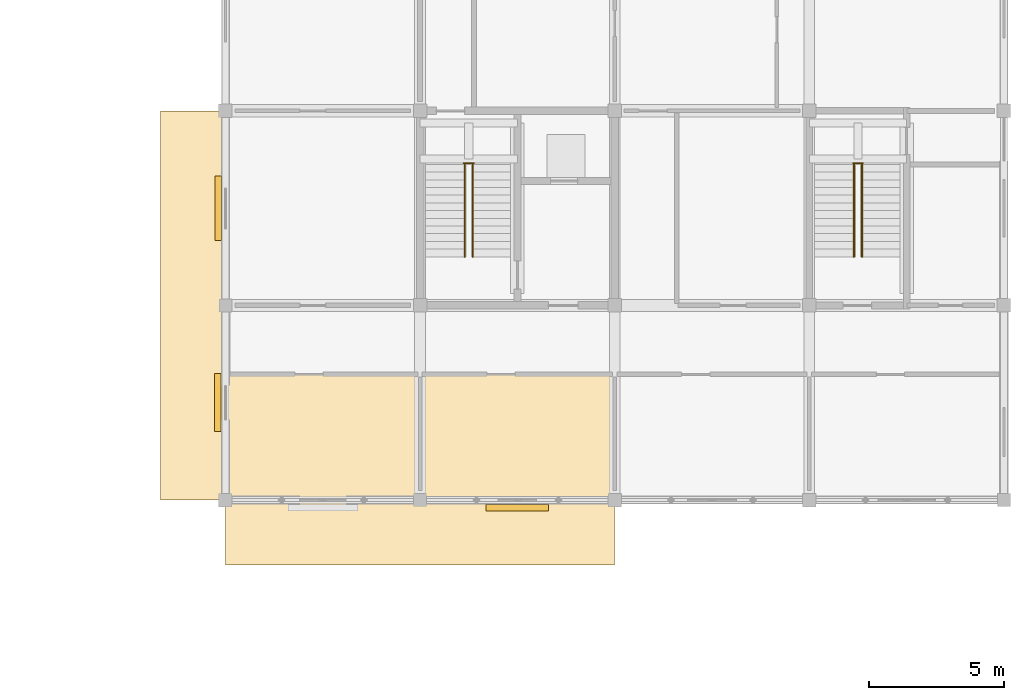
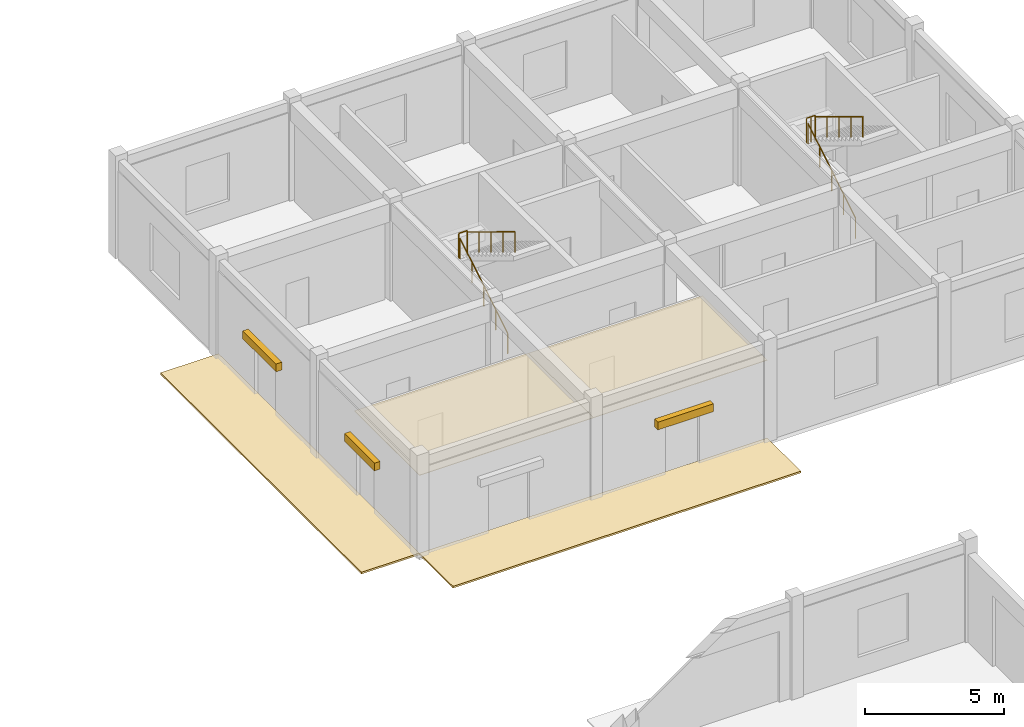
# One storey, part 128 of 138: 7 coverings, 6 railings.
"""IFC4 building model written with IfcOpenShell, lengths in metres."""

import ifcopenshell
import ifcopenshell.guid

model = None  # the IFC model being written
_history = None  # IfcOwnerHistory: only IFC2X3 demands one
_inside = {}  # id of a spatial element -> (the spatial element, [elements in it])
_under = {}  # id of a project, library or spatial element -> (it, [spatial elements below it])
_declared = {}  # id of a project -> (the project, [libraries it declares])
_typed = {}  # id of a type object -> (the type object, [elements of that type])
_made_of = {}  # id of a material, layer set ... -> (it, [elements and type objects made of it])


def new_model(schema):
    """Start an empty IFC model of exactly this schema.

    Asked for "IFC4X3", IfcOpenShell would pick the latest addendum, in which some entities
    have other attributes; the version numbers below select the first issue.
    IFC2X3 requires an IfcOwnerHistory on every rooted entity: one is made here for all.
    """
    global model, _history
    if schema == "IFC4X3":
        model = ifcopenshell.file(schema_version=(4, 3, 0, 0))
    else:
        model = ifcopenshell.file(schema=schema)
    _inside.clear()
    _under.clear()
    _declared.clear()
    _typed.clear()
    _made_of.clear()
    _history = None
    if model.schema == "IFC2X3":
        org = make("IfcOrganization", Name="unknown")
        user = make(
            "IfcPersonAndOrganization",
            ThePerson=make("IfcPerson", FamilyName="unknown"),
            TheOrganization=org,
        )
        app = make(
            "IfcApplication",
            ApplicationDeveloper=org,
            Version="unknown",
            ApplicationFullName="unknown",
            ApplicationIdentifier="unknown",
        )
        _history = make(
            "IfcOwnerHistory",
            OwningUser=user,
            OwningApplication=app,
            ChangeAction="ADDED",
            CreationDate=0,
        )
    return model


def make(cls, **values):
    """One entity of the class cls with the attributes given. An attribute that is None is left unset."""
    return model.create_entity(
        cls, **{name: value for name, value in values.items() if value is not None}
    )


def rooted(cls, **values):
    """An entity with a GlobalId (a new one), such as an element, a storey or a relation."""
    return make(cls, GlobalId=ifcopenshell.guid.new(), OwnerHistory=_history, **values)


def si_unit(unit_type, name, prefix=None):
    """IfcSIUnit, for example si_unit("LENGTHUNIT", "METRE", prefix="MILLI")."""
    return make("IfcSIUnit", UnitType=unit_type, Prefix=prefix, Name=name)


def assignment(units):
    """IfcUnitAssignment: the units of a project."""
    return None if units is None else make("IfcUnitAssignment", Units=units)


def point(xyz):
    """IfcCartesianPoint."""
    return None if xyz is None else make("IfcCartesianPoint", Coordinates=xyz)


def direction(xyz):
    """IfcDirection."""
    return None if xyz is None else make("IfcDirection", DirectionRatios=xyz)


def frame(location, z_axis=None, x_axis=None):
    """IfcAxis2Placement3D, a coordinate frame: its origin and axes. An axis left out is left unset."""
    return make(
        "IfcAxis2Placement3D",
        Location=point(location),
        Axis=direction(z_axis),
        RefDirection=direction(x_axis),
    )


def frame_2d(location, x_axis=None):
    """IfcAxis2Placement2D, a coordinate frame in the plane: its origin and x axis."""
    return make(
        "IfcAxis2Placement2D", Location=point(location), RefDirection=direction(x_axis)
    )


def origin():
    """The frame at (0, 0, 0) with its axes left unset."""
    return frame((0.0, 0.0, 0.0))


def origin_2d():
    """The frame at (0, 0) in the plane with its x axis left unset."""
    return frame_2d((0.0, 0.0))


def place(relative_to, where):
    """IfcLocalPlacement: puts the frame where relative to a parent placement (None: the world)."""
    return make(
        "IfcLocalPlacement", PlacementRelTo=relative_to, RelativePlacement=where
    )


def context(
    kind, dimensions, precision=None, world=None, true_north=None, identifier=None
):
    """IfcGeometricRepresentationContext, for example the 3D "Model" context."""
    return make(
        "IfcGeometricRepresentationContext",
        ContextIdentifier=identifier,
        ContextType=kind,
        CoordinateSpaceDimension=dimensions,
        Precision=precision,
        WorldCoordinateSystem=world,
        TrueNorth=true_north,
    )


def subcontext(parent, identifier, kind, view, scale=None):
    """IfcGeometricRepresentationSubContext, for example "Body" below "Model"."""
    return make(
        "IfcGeometricRepresentationSubContext",
        ContextIdentifier=identifier,
        ContextType=kind,
        ParentContext=parent,
        TargetScale=scale,
        TargetView=view,
    )


def project(units=None, contexts=None):
    """IfcProject with its units and contexts."""
    return rooted(
        "IfcProject",
        Name="project",
        RepresentationContexts=contexts,
        UnitsInContext=assignment(units),
    )


def spatial(cls, under=None, at=None, **own):
    """A site, building, storey or space (cls), placed at a placement, below another one or the project."""
    s = rooted(cls, ObjectPlacement=at, **own)
    if under is not None:
        _under.setdefault(under.id(), (under, []))[1].append(s)
    return s


def polyline(points):
    """IfcPolyline through the points."""
    return make("IfcPolyline", Points=[point(p) for p in points])


def profile(cls, at=None, kind="AREA", **sizes):
    """A parametric profile (cls). Its sizes go by their IFC names, for example OverallWidth=200.0."""
    return make(cls, ProfileType=kind, Position=at, **sizes)


def rectangle(**sizes):
    """IfcRectangleProfileDef."""
    return profile("IfcRectangleProfileDef", **sizes)


def circle(**sizes):
    """IfcCircleProfileDef."""
    return profile("IfcCircleProfileDef", **sizes)


def outline(outer, holes=None, kind="AREA"):
    """IfcArbitraryClosedProfileDef: a profile drawn as a closed curve; with holes, ...WithVoids."""
    if holes is None:
        return make("IfcArbitraryClosedProfileDef", ProfileType=kind, OuterCurve=outer)
    return make(
        "IfcArbitraryProfileDefWithVoids",
        ProfileType=kind,
        OuterCurve=outer,
        InnerCurves=holes,
    )


def extrude(swept, where, along, depth):
    """IfcExtrudedAreaSolid: the profile swept, set in the frame where, extruded along a direction by depth."""
    return make(
        "IfcExtrudedAreaSolid",
        SweptArea=swept,
        Position=where,
        ExtrudedDirection=direction(along),
        Depth=depth,
    )


def shape(context_of_items, identifier, shape_type, items):
    """IfcShapeRepresentation: the items that make up one representation, for example the "Body"."""
    return make(
        "IfcShapeRepresentation",
        ContextOfItems=context_of_items,
        RepresentationIdentifier=identifier,
        RepresentationType=shape_type,
        Items=items,
    )


def material(Name=None, Category=None):
    """IfcMaterial."""
    return make("IfcMaterial", Name=Name, Category=Category)


def layer(
    of_material, thickness, ventilated=None, Name=None, Category=None, Priority=None
):
    """IfcMaterialLayer: one layer of a wall or slab, of a material (None: an air gap)."""
    return make(
        "IfcMaterialLayer",
        Material=of_material,
        LayerThickness=thickness,
        IsVentilated=ventilated,
        Name=Name,
        Category=Category,
        Priority=Priority,
    )


def layer_set(layers, Name=None):
    """IfcMaterialLayerSet."""
    return make("IfcMaterialLayerSet", MaterialLayers=layers, LayerSetName=Name)


def made_of(thing, what):
    """Note that an element or type object is made of a material, layer set ...; save() writes the relation."""
    if what is not None:
        _made_of.setdefault(what.id(), (what, []))[1].append(thing)
    return thing


def type_object(cls, material=None, **own):
    """A type object (cls), such as IfcWallType, which elements share."""
    return made_of(rooted(cls, **own), material)


def element(
    cls,
    number,
    at=None,
    inside=None,
    cuts=None,
    type_object=None,
    material=None,
    context=None,
    identifier="Body",
    shape_type=None,
    held_by="IfcProductDefinitionShape",
    body=None,
    shapes=None,
    **own,
):
    """One element of the class cls, such as IfcWall. Its Tag is "e" and its number.

    at: its placement. inside: the storey or other place that contains it. cuts: it is an
    opening in that element (IfcRelVoidsElement). A single representation is given by context,
    identifier, shape_type and body (its items); several are given by shapes. held_by: the class
    of the entity that holds the representations. save() writes the other relations.
    """
    e = rooted(cls, Tag="e%d" % number, ObjectPlacement=at, **own)
    if body is not None:
        shapes = [shape(context, identifier, shape_type, body)]
    if shapes is not None:
        e.Representation = make(held_by, Representations=shapes)
    if inside is not None:
        _inside.setdefault(inside.id(), (inside, []))[1].append(e)
    if cuts is not None:
        rooted(
            "IfcRelVoidsElement", RelatingBuildingElement=cuts, RelatedOpeningElement=e
        )
    if type_object is not None:
        _typed.setdefault(type_object.id(), (type_object, []))[1].append(e)
    return made_of(e, material)


def aggregate(whole, parts):
    """IfcRelAggregates: a whole, such as a stair, and the parts it consists of."""
    return rooted("IfcRelAggregates", RelatingObject=whole, RelatedObjects=parts)


def save(model, path):
    """Write the relations noted so far, then the file.

    IfcRelAggregates (storeys below a building ...), IfcRelContainedInSpatialStructure (elements
    in a storey), IfcRelDefinesByType, IfcRelAssociatesMaterial and IfcRelDeclares: one each for
    every whole, place, type object, material and project.
    """
    for whole, parts in _under.values():
        aggregate(whole, parts)
    for where, things in _inside.values():
        rooted(
            "IfcRelContainedInSpatialStructure",
            RelatedElements=things,
            RelatingStructure=where,
        )
    for kind, things in _typed.values():
        rooted("IfcRelDefinesByType", RelatedObjects=things, RelatingType=kind)
    for what, things in _made_of.values():
        rooted("IfcRelAssociatesMaterial", RelatedObjects=things, RelatingMaterial=what)
    for by, libraries in _declared.values():
        rooted("IfcRelDeclares", RelatingContext=by, RelatedDefinitions=libraries)
    model.write(path)


model = new_model("IFC4")

# Units and contexts
model_context = context("Model", 3, precision=1e-05, world=origin(), true_north=direction((0.0, 1.0)))
body_context = subcontext(model_context, "Body", "Model", "MODEL_VIEW")
ifc_project = project(units=[si_unit("LENGTHUNIT", "METRE"), si_unit("AREAUNIT", "SQUARE_METRE"), si_unit("VOLUMEUNIT", "CUBIC_METRE"), si_unit("PLANEANGLEUNIT", "RADIAN"), si_unit("MASSUNIT", "GRAM", prefix="KILO"), si_unit("THERMODYNAMICTEMPERATUREUNIT", "KELVIN"), si_unit("POWERUNIT", "WATT")], contexts=[model_context])

# Site, building, storey
site_placement = place(None, origin())
site = spatial("IfcSite", under=ifc_project, at=site_placement, CompositionType="ELEMENT")
building_placement = place(site_placement, origin())
building = spatial("IfcBuilding", under=site, at=building_placement, Name="Tavuni Mirador Residences", CompositionType="ELEMENT")
storey_placement = place(building_placement, origin())
storey = spatial("IfcBuildingStorey", under=building, at=storey_placement, Name="L00", CompositionType="ELEMENT", Elevation=0.0)

# Coverings
ifc_material_1 = material(Name="Perforated mineral-fibre acoustic ceiling", Category="gypsum")
ifc_layer_1 = layer(ifc_material_1, 0.02490234375, Name="Perforated mineral-fibre acoustic ceiling", Category="gypsum")
ifc_layer_set_1 = layer_set([ifc_layer_1], Name="Perforated mineral-fibre acoustic ceiling")
covering_type_1 = type_object("IfcCoveringType", Name="CVT-CEIL-AC", PredefinedType="CEILING", material=ifc_layer_set_1)
covering_1_placement = place(storey_placement, frame((0.0, 0.0, 3.385009765625)))
element("IfcCovering", 1, at=covering_1_placement, inside=storey, type_object=covering_type_1, Name="CEIL-NURS-INF", PredefinedType="CEILING", context=body_context, shape_type="SweptSolid", body=[
    extrude(outline(polyline([(90.0, 43.199951171875), (97.199951171875, 43.199951171875), (97.199951171875, 47.85009765625), (90.0, 47.85009765625), (90.0, 43.199951171875)])), origin(), (0.0, 0.0, 1.0), 0.02490234375),
])
covering_2_placement = place(storey_placement, frame((0.0, 0.0, 3.385009765625)))
element("IfcCovering", 2, at=covering_2_placement, inside=storey, type_object=covering_type_1, Name="CEIL-NURS-TOD", PredefinedType="CEILING", context=body_context, shape_type="SweptSolid", body=[
    extrude(outline(polyline([(97.199951171875, 43.199951171875), (104.39990234375, 43.199951171875), (104.39990234375, 47.85009765625), (97.199951171875, 47.85009765625), (97.199951171875, 43.199951171875)])), origin(), (0.0, 0.0, 1.0), 0.02490234375),
])
ifc_material_2 = material(Name="Natural coral limestone", Category="masonry")
ifc_layer_2 = layer(ifc_material_2, 0.054931640625, Name="Natural coral limestone", Category="masonry")
ifc_layer_set_2 = layer_set([ifc_layer_2], Name="Natural coral limestone")
covering_type_2 = type_object("IfcCoveringType", Name="CVT-CLAD-CORAL", PredefinedType="CLADDING", material=ifc_layer_set_2)
covering_3_placement = place(storey_placement, frame((100.794921875, 42.925537109375, 2.25), z_axis=(0.0, 0.0, 1.0), x_axis=(1.0, 0.0, 0.0)))
element("IfcCovering", 3, at=covering_3_placement, inside=storey, type_object=covering_type_2, Name="CLAD-PAV-NURS-S01", PredefinedType="CLADDING", context=body_context, shape_type="SweptSolid", body=[
    extrude(rectangle(XDim=2.300048828125, YDim=0.239990234375, at=origin_2d()), origin(), (0.0, 0.0, 1.0), 0.340087890625),
])
covering_4_placement = place(storey_placement, frame((89.7255859375, 53.9951171875, 2.25), z_axis=(0.0, 0.0, 1.0), x_axis=(0.0, -1.0, 0.0)))
element("IfcCovering", 4, at=covering_4_placement, inside=storey, type_object=covering_type_2, Name="CLAD-PAV-NURS-W01", PredefinedType="CLADDING", context=body_context, shape_type="SweptSolid", body=[
    extrude(rectangle(XDim=2.39990234375, YDim=0.239990234375, at=origin_2d()), origin(), (0.0, 0.0, 1.0), 0.340087890625),
])
covering_5_placement = place(storey_placement, frame((89.718017578125, 46.804931640625, 2.2001953125), z_axis=(0.0, 0.0, 1.0), x_axis=(0.0, -1.0, 0.0)))
element("IfcCovering", 5, at=covering_5_placement, inside=storey, type_object=covering_type_2, Name="CLAD-PAV-NURS-W00", PredefinedType="CLADDING", context=body_context, shape_type="SweptSolid", body=[
    extrude(rectangle(XDim=2.14990234375, YDim=0.239990234375, at=origin_2d()), origin(), (0.0, 0.0, 1.0), 0.340087890625),
])
ifc_material_3 = material(Name="Dressed coral-stone paving", Category="masonry")
ifc_layer_3 = layer(ifc_material_3, 0.080078125, Name="Dressed coral-stone paving", Category="masonry")
ifc_layer_set_3 = layer_set([ifc_layer_3], Name="Dressed coral-stone paving")
covering_type_3 = type_object("IfcCoveringType", Name="CVT-PAV-COURT", PredefinedType="USERDEFINED", material=ifc_layer_set_3)
covering_6_placement = place(storey_placement, frame((0.0, 0.0, -0.080078125)))
element("IfcCovering", 6, at=covering_6_placement, inside=storey, type_object=covering_type_3, Name="PAV-APR-NURS-S", ObjectType="PAVING", PredefinedType="USERDEFINED", context=body_context, shape_type="SweptSolid", body=[
    extrude(outline(polyline([(90.0, 40.800048828125), (104.39990234375, 40.800048828125), (104.39990234375, 43.199951171875), (90.0, 43.199951171875), (90.0, 40.800048828125)])), origin(), (0.0, 0.0, 1.0), 0.080078125),
])
covering_7_placement = place(storey_placement, frame((0.0, 0.0, -0.080078125)))
element("IfcCovering", 7, at=covering_7_placement, inside=storey, type_object=covering_type_3, Name="PAV-APR-NURS-W", ObjectType="PAVING", PredefinedType="USERDEFINED", context=body_context, shape_type="SweptSolid", body=[
    extrude(outline(polyline([(87.60009765625, 43.199951171875), (90.0, 43.199951171875), (90.0, 57.60009765625), (87.60009765625, 57.60009765625), (87.60009765625, 43.199951171875)])), origin(), (0.0, 0.0, 1.0), 0.080078125),
])

# Railings
ifc_material_4 = material(Name="Structural steel S355", Category="steel")
railing_type_1 = type_object("IfcRailingType", Name="RT-GR1120", PredefinedType="GUARDRAIL", material=ifc_material_4)
railing_1_placement = place(storey_placement, frame((98.820068359375, 55.659912109375, 2.25)))
element("IfcRailing", 8, at=railing_1_placement, inside=storey, type_object=railing_type_1, Name="GRD-HL-ST11-L00", PredefinedType="GUARDRAIL", context=body_context, shape_type="SweptSolid", body=[
    extrude(circle(Radius=0.02392578125, at=origin_2d()), frame((0.0, 0.0, 1.09619140625), z_axis=(1.0, 0.0, 0.0), x_axis=(0.0, 1.0, 0.0)), (0.0, 0.0, 1.0), 0.35986328125),
    extrude(circle(Radius=0.02099609375, at=origin_2d()), origin(), (0.0, 0.0, 1.0), 1.072021484375),
    extrude(circle(Radius=0.02099609375, at=origin_2d()), frame((0.35986328125, 0.0, 0.0)), (0.0, 0.0, 1.0), 1.072021484375),
])
railing_2_placement = place(storey_placement, frame((113.219970703125, 55.659912109375, 2.25)))
element("IfcRailing", 9, at=railing_2_placement, inside=storey, type_object=railing_type_1, Name="GRD-HL-ST12-L00", PredefinedType="GUARDRAIL", context=body_context, shape_type="SweptSolid", body=[
    extrude(circle(Radius=0.02392578125, at=origin_2d()), frame((0.0, 0.0, 1.09619140625), z_axis=(1.0, 0.0, 0.0), x_axis=(0.0, 1.0, 0.0)), (0.0, 0.0, 1.0), 0.360107421875),
    extrude(circle(Radius=0.02099609375, at=origin_2d()), origin(), (0.0, 0.0, 1.0), 1.072021484375),
    extrude(circle(Radius=0.02099609375, at=origin_2d()), frame((0.18017578125, 0.0, 0.0)), (0.0, 0.0, 1.0), 1.072021484375),
    extrude(circle(Radius=0.02099609375, at=origin_2d()), frame((0.360107421875, 0.0, 0.0)), (0.0, 0.0, 1.0), 1.072021484375),
])
railing_type_2 = type_object("IfcRailingType", Name="RT-HR920", PredefinedType="HANDRAIL", material=ifc_material_4)
railing_3_placement = place(storey_placement, frame((98.85009765625, 52.199951171875, 0.173095703125)))
element("IfcRailing", 10, at=railing_3_placement, inside=storey, type_object=railing_type_2, Name="HR-ST11-L00-F1", PredefinedType="HANDRAIL", context=body_context, shape_type="SweptSolid", body=[
    extrude(circle(Radius=0.02392578125, at=origin_2d()), frame((0.0, 0.0, 0.89599609375), z_axis=(0.0, 0.854745945586, 0.519046595696), x_axis=(-1.0, 0.0, 0.0)), (0.0, 0.0, 1.0), 4.00146484375),
    extrude(circle(Radius=0.02099609375, at=origin_2d()), origin(), (0.0, 0.0, 1.0), 0.871826171875),
    extrude(circle(Radius=0.02099609375, at=origin_2d()), frame((0.0, 0.85498046875, 0.519287109375)), (0.0, 0.0, 1.0), 0.871826171875),
    extrude(circle(Radius=0.02099609375, at=origin_2d()), frame((0.0, 1.7099609375, 1.03857421875)), (0.0, 0.0, 1.0), 0.871826171875),
    extrude(circle(Radius=0.02099609375, at=origin_2d()), frame((0.0, 2.565185546875, 1.5576171875)), (0.0, 0.0, 1.0), 0.871826171875),
    extrude(circle(Radius=0.02099609375, at=origin_2d()), frame((0.0, 3.420166015625, 2.076904296875)), (0.0, 0.0, 1.0), 0.871826171875),
])
railing_4_placement = place(storey_placement, frame((99.14990234375, 55.6201171875, 2.423095703125)))
element("IfcRailing", 11, at=railing_4_placement, inside=storey, type_object=railing_type_2, Name="HR-ST11-L00-F2", PredefinedType="HANDRAIL", context=body_context, shape_type="SweptSolid", body=[
    extrude(circle(Radius=0.02392578125, at=origin_2d()), frame((0.0, 0.0, 0.89599609375), z_axis=(0.0, -0.854745945586, 0.519046595696), x_axis=(1.0, 0.0, 0.0)), (0.0, 0.0, 1.0), 4.00146484375),
    extrude(circle(Radius=0.02099609375, at=origin_2d()), origin(), (0.0, 0.0, 1.0), 0.871826171875),
    extrude(circle(Radius=0.02099609375, at=origin_2d()), frame((0.0, -0.85498046875, 0.519287109375)), (0.0, 0.0, 1.0), 0.871826171875),
    extrude(circle(Radius=0.02099609375, at=origin_2d()), frame((0.0, -1.7099609375, 1.03857421875)), (0.0, 0.0, 1.0), 0.871826171875),
    extrude(circle(Radius=0.02099609375, at=origin_2d()), frame((0.0, -2.565185546875, 1.5576171875)), (0.0, 0.0, 1.0), 0.871826171875),
    extrude(circle(Radius=0.02099609375, at=origin_2d()), frame((0.0, -3.420166015625, 2.076904296875)), (0.0, 0.0, 1.0), 0.871826171875),
])
railing_5_placement = place(storey_placement, frame((113.25, 52.199951171875, 0.173095703125)))
element("IfcRailing", 12, at=railing_5_placement, inside=storey, type_object=railing_type_2, Name="HR-ST12-L00-F1", PredefinedType="HANDRAIL", context=body_context, shape_type="SweptSolid", body=[
    extrude(circle(Radius=0.02392578125, at=origin_2d()), frame((0.0, 0.0, 0.89599609375), z_axis=(0.0, 0.854745945586, 0.519046595696), x_axis=(-1.0, 0.0, 0.0)), (0.0, 0.0, 1.0), 4.00146484375),
    extrude(circle(Radius=0.02099609375, at=origin_2d()), origin(), (0.0, 0.0, 1.0), 0.871826171875),
    extrude(circle(Radius=0.02099609375, at=origin_2d()), frame((0.0, 0.85498046875, 0.519287109375)), (0.0, 0.0, 1.0), 0.871826171875),
    extrude(circle(Radius=0.02099609375, at=origin_2d()), frame((0.0, 1.7099609375, 1.03857421875)), (0.0, 0.0, 1.0), 0.871826171875),
    extrude(circle(Radius=0.02099609375, at=origin_2d()), frame((0.0, 2.565185546875, 1.5576171875)), (0.0, 0.0, 1.0), 0.871826171875),
    extrude(circle(Radius=0.02099609375, at=origin_2d()), frame((0.0, 3.420166015625, 2.076904296875)), (0.0, 0.0, 1.0), 0.871826171875),
])
railing_6_placement = place(storey_placement, frame((113.550048828125, 55.6201171875, 2.423095703125)))
element("IfcRailing", 13, at=railing_6_placement, inside=storey, type_object=railing_type_2, Name="HR-ST12-L00-F2", PredefinedType="HANDRAIL", context=body_context, shape_type="SweptSolid", body=[
    extrude(circle(Radius=0.02392578125, at=origin_2d()), frame((0.0, 0.0, 0.89599609375), z_axis=(0.0, -0.854745945586, 0.519046595696), x_axis=(1.0, 0.0, 0.0)), (0.0, 0.0, 1.0), 4.00146484375),
    extrude(circle(Radius=0.02099609375, at=origin_2d()), origin(), (0.0, 0.0, 1.0), 0.871826171875),
    extrude(circle(Radius=0.02099609375, at=origin_2d()), frame((0.0, -0.85498046875, 0.519287109375)), (0.0, 0.0, 1.0), 0.871826171875),
    extrude(circle(Radius=0.02099609375, at=origin_2d()), frame((0.0, -1.7099609375, 1.03857421875)), (0.0, 0.0, 1.0), 0.871826171875),
    extrude(circle(Radius=0.02099609375, at=origin_2d()), frame((0.0, -2.565185546875, 1.5576171875)), (0.0, 0.0, 1.0), 0.871826171875),
    extrude(circle(Radius=0.02099609375, at=origin_2d()), frame((0.0, -3.420166015625, 2.076904296875)), (0.0, 0.0, 1.0), 0.871826171875),
])

save(model, "model.ifc")
